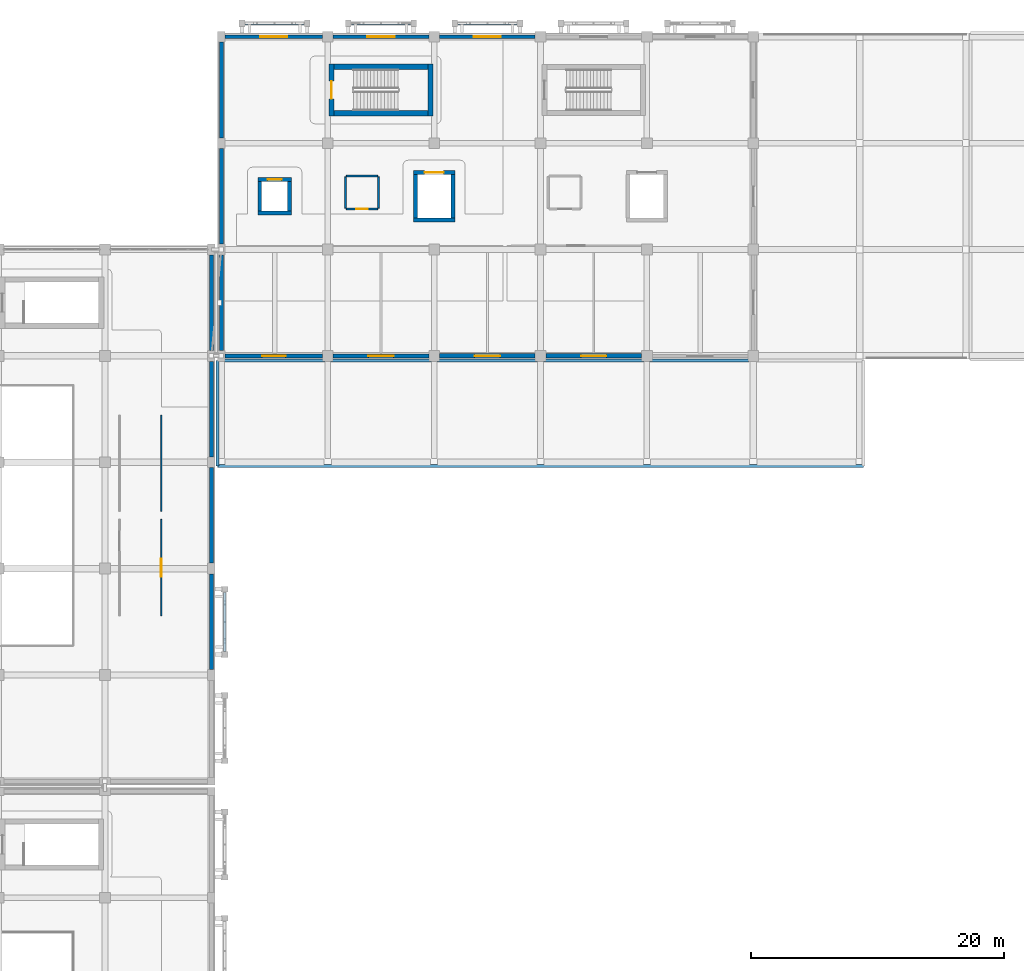
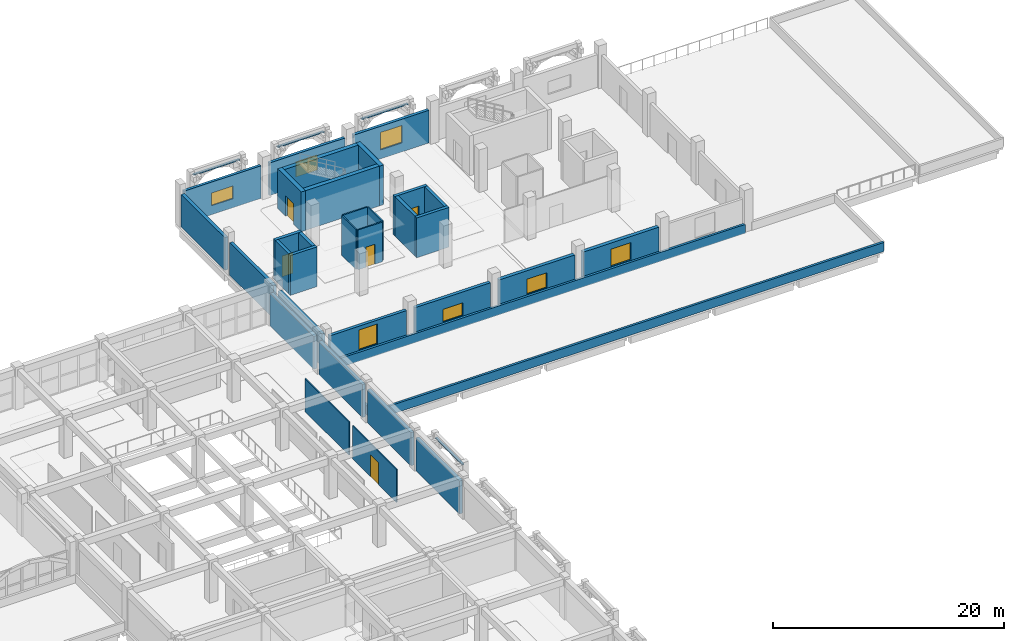
# One storey, part 114 of 129: 39 walls, 7 windows, 5 doors, 12 openings.
"""IFC4 building model written with IfcOpenShell, lengths in metres."""

import ifcopenshell
import ifcopenshell.guid

model = None  # the IFC model being written
_history = None  # IfcOwnerHistory: only IFC2X3 demands one
_inside = {}  # id of a spatial element -> (the spatial element, [elements in it])
_under = {}  # id of a project, library or spatial element -> (it, [spatial elements below it])
_declared = {}  # id of a project -> (the project, [libraries it declares])
_typed = {}  # id of a type object -> (the type object, [elements of that type])
_made_of = {}  # id of a material, layer set ... -> (it, [elements and type objects made of it])


def new_model(schema):
    """Start an empty IFC model of exactly this schema.

    Asked for "IFC4X3", IfcOpenShell would pick the latest addendum, in which some entities
    have other attributes; the version numbers below select the first issue.
    IFC2X3 requires an IfcOwnerHistory on every rooted entity: one is made here for all.
    """
    global model, _history
    if schema == "IFC4X3":
        model = ifcopenshell.file(schema_version=(4, 3, 0, 0))
    else:
        model = ifcopenshell.file(schema=schema)
    _inside.clear()
    _under.clear()
    _declared.clear()
    _typed.clear()
    _made_of.clear()
    _history = None
    if model.schema == "IFC2X3":
        org = make("IfcOrganization", Name="unknown")
        user = make(
            "IfcPersonAndOrganization",
            ThePerson=make("IfcPerson", FamilyName="unknown"),
            TheOrganization=org,
        )
        app = make(
            "IfcApplication",
            ApplicationDeveloper=org,
            Version="unknown",
            ApplicationFullName="unknown",
            ApplicationIdentifier="unknown",
        )
        _history = make(
            "IfcOwnerHistory",
            OwningUser=user,
            OwningApplication=app,
            ChangeAction="ADDED",
            CreationDate=0,
        )
    return model


def make(cls, **values):
    """One entity of the class cls with the attributes given. An attribute that is None is left unset."""
    return model.create_entity(
        cls, **{name: value for name, value in values.items() if value is not None}
    )


def rooted(cls, **values):
    """An entity with a GlobalId (a new one), such as an element, a storey or a relation."""
    return make(cls, GlobalId=ifcopenshell.guid.new(), OwnerHistory=_history, **values)


def si_unit(unit_type, name, prefix=None):
    """IfcSIUnit, for example si_unit("LENGTHUNIT", "METRE", prefix="MILLI")."""
    return make("IfcSIUnit", UnitType=unit_type, Prefix=prefix, Name=name)


def assignment(units):
    """IfcUnitAssignment: the units of a project."""
    return None if units is None else make("IfcUnitAssignment", Units=units)


def point(xyz):
    """IfcCartesianPoint."""
    return None if xyz is None else make("IfcCartesianPoint", Coordinates=xyz)


def direction(xyz):
    """IfcDirection."""
    return None if xyz is None else make("IfcDirection", DirectionRatios=xyz)


def frame(location, z_axis=None, x_axis=None):
    """IfcAxis2Placement3D, a coordinate frame: its origin and axes. An axis left out is left unset."""
    return make(
        "IfcAxis2Placement3D",
        Location=point(location),
        Axis=direction(z_axis),
        RefDirection=direction(x_axis),
    )


def frame_2d(location, x_axis=None):
    """IfcAxis2Placement2D, a coordinate frame in the plane: its origin and x axis."""
    return make(
        "IfcAxis2Placement2D", Location=point(location), RefDirection=direction(x_axis)
    )


def origin():
    """The frame at (0, 0, 0) with its axes left unset."""
    return frame((0.0, 0.0, 0.0))


def place(relative_to, where):
    """IfcLocalPlacement: puts the frame where relative to a parent placement (None: the world)."""
    return make(
        "IfcLocalPlacement", PlacementRelTo=relative_to, RelativePlacement=where
    )


def context(
    kind, dimensions, precision=None, world=None, true_north=None, identifier=None
):
    """IfcGeometricRepresentationContext, for example the 3D "Model" context."""
    return make(
        "IfcGeometricRepresentationContext",
        ContextIdentifier=identifier,
        ContextType=kind,
        CoordinateSpaceDimension=dimensions,
        Precision=precision,
        WorldCoordinateSystem=world,
        TrueNorth=true_north,
    )


def subcontext(parent, identifier, kind, view, scale=None):
    """IfcGeometricRepresentationSubContext, for example "Body" below "Model"."""
    return make(
        "IfcGeometricRepresentationSubContext",
        ContextIdentifier=identifier,
        ContextType=kind,
        ParentContext=parent,
        TargetScale=scale,
        TargetView=view,
    )


def project(units=None, contexts=None):
    """IfcProject with its units and contexts."""
    return rooted(
        "IfcProject",
        Name="project",
        RepresentationContexts=contexts,
        UnitsInContext=assignment(units),
    )


def spatial(cls, under=None, at=None, **own):
    """A site, building, storey or space (cls), placed at a placement, below another one or the project."""
    s = rooted(cls, ObjectPlacement=at, **own)
    if under is not None:
        _under.setdefault(under.id(), (under, []))[1].append(s)
    return s


def profile(cls, at=None, kind="AREA", **sizes):
    """A parametric profile (cls). Its sizes go by their IFC names, for example OverallWidth=200.0."""
    return make(cls, ProfileType=kind, Position=at, **sizes)


def rectangle(**sizes):
    """IfcRectangleProfileDef."""
    return profile("IfcRectangleProfileDef", **sizes)


def extrude(swept, where, along, depth):
    """IfcExtrudedAreaSolid: the profile swept, set in the frame where, extruded along a direction by depth."""
    return make(
        "IfcExtrudedAreaSolid",
        SweptArea=swept,
        Position=where,
        ExtrudedDirection=direction(along),
        Depth=depth,
    )


def shape(context_of_items, identifier, shape_type, items):
    """IfcShapeRepresentation: the items that make up one representation, for example the "Body"."""
    return make(
        "IfcShapeRepresentation",
        ContextOfItems=context_of_items,
        RepresentationIdentifier=identifier,
        RepresentationType=shape_type,
        Items=items,
    )


def material(Name=None, Category=None):
    """IfcMaterial."""
    return make("IfcMaterial", Name=Name, Category=Category)


def layer(
    of_material, thickness, ventilated=None, Name=None, Category=None, Priority=None
):
    """IfcMaterialLayer: one layer of a wall or slab, of a material (None: an air gap)."""
    return make(
        "IfcMaterialLayer",
        Material=of_material,
        LayerThickness=thickness,
        IsVentilated=ventilated,
        Name=Name,
        Category=Category,
        Priority=Priority,
    )


def layer_set(layers, Name=None):
    """IfcMaterialLayerSet."""
    return make("IfcMaterialLayerSet", MaterialLayers=layers, LayerSetName=Name)


def made_of(thing, what):
    """Note that an element or type object is made of a material, layer set ...; save() writes the relation."""
    if what is not None:
        _made_of.setdefault(what.id(), (what, []))[1].append(thing)
    return thing


def type_object(cls, material=None, **own):
    """A type object (cls), such as IfcWallType, which elements share."""
    return made_of(rooted(cls, **own), material)


def element(
    cls,
    number,
    at=None,
    inside=None,
    cuts=None,
    type_object=None,
    material=None,
    context=None,
    identifier="Body",
    shape_type=None,
    held_by="IfcProductDefinitionShape",
    body=None,
    shapes=None,
    **own,
):
    """One element of the class cls, such as IfcWall. Its Tag is "e" and its number.

    at: its placement. inside: the storey or other place that contains it. cuts: it is an
    opening in that element (IfcRelVoidsElement). A single representation is given by context,
    identifier, shape_type and body (its items); several are given by shapes. held_by: the class
    of the entity that holds the representations. save() writes the other relations.
    """
    e = rooted(cls, Tag="e%d" % number, ObjectPlacement=at, **own)
    if body is not None:
        shapes = [shape(context, identifier, shape_type, body)]
    if shapes is not None:
        e.Representation = make(held_by, Representations=shapes)
    if inside is not None:
        _inside.setdefault(inside.id(), (inside, []))[1].append(e)
    if cuts is not None:
        rooted(
            "IfcRelVoidsElement", RelatingBuildingElement=cuts, RelatedOpeningElement=e
        )
    if type_object is not None:
        _typed.setdefault(type_object.id(), (type_object, []))[1].append(e)
    return made_of(e, material)


def fill(opening, filler):
    """IfcRelFillsElement: the door or window that sits in an opening."""
    return rooted(
        "IfcRelFillsElement",
        RelatingOpeningElement=opening,
        RelatedBuildingElement=filler,
    )


def aggregate(whole, parts):
    """IfcRelAggregates: a whole, such as a stair, and the parts it consists of."""
    return rooted("IfcRelAggregates", RelatingObject=whole, RelatedObjects=parts)


def save(model, path):
    """Write the relations noted so far, then the file.

    IfcRelAggregates (storeys below a building ...), IfcRelContainedInSpatialStructure (elements
    in a storey), IfcRelDefinesByType, IfcRelAssociatesMaterial and IfcRelDeclares: one each for
    every whole, place, type object, material and project.
    """
    for whole, parts in _under.values():
        aggregate(whole, parts)
    for where, things in _inside.values():
        rooted(
            "IfcRelContainedInSpatialStructure",
            RelatedElements=things,
            RelatingStructure=where,
        )
    for kind, things in _typed.values():
        rooted("IfcRelDefinesByType", RelatedObjects=things, RelatingType=kind)
    for what, things in _made_of.values():
        rooted("IfcRelAssociatesMaterial", RelatedObjects=things, RelatingMaterial=what)
    for by, libraries in _declared.values():
        rooted("IfcRelDeclares", RelatingContext=by, RelatedDefinitions=libraries)
    model.write(path)


model = new_model("IFC4")

# Units and contexts
model_context = context("Model", 3, precision=1e-05, world=origin(), true_north=direction((0.0, 1.0)))
body_context = subcontext(model_context, "Body", "Model", "MODEL_VIEW")
ifc_project = project(units=[si_unit("LENGTHUNIT", "METRE"), si_unit("AREAUNIT", "SQUARE_METRE"), si_unit("VOLUMEUNIT", "CUBIC_METRE"), si_unit("PLANEANGLEUNIT", "RADIAN"), si_unit("MASSUNIT", "GRAM", prefix="KILO")], contexts=[model_context])

# Site, building, storey
site_placement = place(None, origin())
site = spatial("IfcSite", under=ifc_project, at=site_placement, CompositionType="ELEMENT")
building_placement = place(site_placement, origin())
building = spatial("IfcBuilding", under=site, at=building_placement, Name="Xazarin Passage Department Store", CompositionType="ELEMENT")
storey_placement = place(building_placement, frame((0.0, 0.0, 9.89990234375)))
storey = spatial("IfcBuildingStorey", under=building, at=storey_placement, Name="L02", CompositionType="ELEMENT", Elevation=9.89990234375)

# Wall, opening, window
ifc_material_1 = material(Name="Precast concrete C40/50", Category="concrete")
ifc_layer_1 = layer(ifc_material_1, 0.260009765625)
ifc_layer_set_1 = layer_set([ifc_layer_1], Name="Precast concrete C40/50")
wall_type_1 = type_object("IfcWallType", Name="ARC-W-EXT260", PredefinedType="SOLIDWALL", material=ifc_layer_set_1)
wall_1_placement = place(storey_placement, frame((102.699951171875, 110.0, 0.0), z_axis=(0.0, 0.0, 1.0), x_axis=(1.0, 0.0, 0.0)))
wall_1 = element("IfcWall", 1, at=wall_1_placement, inside=storey, type_object=wall_type_1, Name="L02 V4 Exterior Wall 300", PredefinedType="SOLIDWALL", context=body_context, shape_type="SweptSolid", body=[
    extrude(rectangle(XDim=7.675048828125, YDim=0.260009765625, at=frame_2d((3.83740234375, 0.0))), origin(), (0.0, 0.0, 1.0), 3.4501953125),
])
opening_1_placement = place(wall_1_placement, frame((2.762451171875, 0.0, 0.949951171875)))
opening_1 = element("IfcOpeningElement", 2, at=opening_1_placement, cuts=wall_1, Name="Opening W33", PredefinedType="OPENING", context=body_context, shape_type="SweptSolid", body=[
    extrude(rectangle(XDim=2.14990234375, YDim=1.35009765625, at=frame_2d((1.074951171875, 0.675048828125))), frame((0.0, 0.139892578125, 0.0), z_axis=(0.0, -1.0, 0.0), x_axis=(1.0, 0.0, 0.0)), (0.0, 0.0, 1.0), 0.280029296875),
])
ifc_material_2 = material(Name="Low-E laminated safety glass", Category="glass")
window_type_1 = type_object("IfcWindowType", Name="ARC-WIN-W33", PartitioningType="DOUBLE_PANEL_VERTICAL", PredefinedType="WINDOW", material=ifc_material_2)
window_1_placement = place(opening_1_placement, origin())
window_1 = element("IfcWindow", 3, at=window_1_placement, inside=storey, type_object=window_type_1, Name="L02 V4 Facade Window 0081", OverallHeight=1.35009765625, OverallWidth=2.14990234375, PartitioningType="DOUBLE_PANEL_VERTICAL", PredefinedType="WINDOW", context=body_context, shape_type="SweptSolid", body=[
    extrude(rectangle(XDim=2.14990234375, YDim=1.35009765625, at=frame_2d((1.074951171875, 0.675048828125))), frame((0.0, 0.030029296875, 0.0), z_axis=(0.0, -1.0, 0.0), x_axis=(1.0, 0.0, 0.0)), (0.0, 0.0, 1.0), 0.06005859375),
])
fill(opening_1, window_1)

ifc_layer_2 = layer(ifc_material_1, 0.280029296875)
ifc_layer_set_2 = layer_set([ifc_layer_2], Name="Precast concrete C40/50")
wall_type_2 = type_object("IfcWallType", Name="ARC-W-EXT280", PredefinedType="SOLIDWALL", material=ifc_layer_set_2)
wall_2_placement = place(storey_placement, frame((111.22509765625, 110.0, 0.0), z_axis=(0.0, 0.0, 1.0), x_axis=(1.0, 0.0, 0.0)))
wall_2 = element("IfcWall", 4, at=wall_2_placement, inside=storey, type_object=wall_type_2, Name="L02 V4 Exterior Wall 301", PredefinedType="SOLIDWALL", context=body_context, shape_type="SweptSolid", body=[
    extrude(rectangle(XDim=7.5498046875, YDim=0.280029296875, at=frame_2d((3.77490234375, 0.0))), origin(), (0.0, 0.0, 1.0), 3.4501953125),
])
opening_2_placement = place(wall_2_placement, frame((2.699951171875, 0.0, 0.949951171875)))
opening_2 = element("IfcOpeningElement", 5, at=opening_2_placement, cuts=wall_2, Name="Opening W34", PredefinedType="OPENING", context=body_context, shape_type="SweptSolid", body=[
    extrude(rectangle(XDim=2.14990234375, YDim=1.60009765625, at=frame_2d((1.074951171875, 0.800048828125))), frame((0.0, 0.14990234375, 0.0), z_axis=(0.0, -1.0, 0.0), x_axis=(1.0, 0.0, 0.0)), (0.0, 0.0, 1.0), 0.300048828125),
])
window_type_2 = type_object("IfcWindowType", Name="ARC-WIN-W34", PartitioningType="DOUBLE_PANEL_VERTICAL", PredefinedType="WINDOW", material=ifc_material_2)
window_2_placement = place(opening_2_placement, origin())
window_2 = element("IfcWindow", 6, at=window_2_placement, inside=storey, type_object=window_type_2, Name="L02 V4 Facade Window 0082", OverallHeight=1.60009765625, OverallWidth=2.14990234375, PartitioningType="DOUBLE_PANEL_VERTICAL", PredefinedType="WINDOW", context=body_context, shape_type="SweptSolid", body=[
    extrude(rectangle(XDim=2.14990234375, YDim=1.60009765625, at=frame_2d((1.074951171875, 0.800048828125))), frame((0.0, 0.030029296875, 0.0), z_axis=(0.0, -1.0, 0.0), x_axis=(1.0, 0.0, 0.0)), (0.0, 0.0, 1.0), 0.06005859375),
])
fill(opening_2, window_2)

ifc_layer_3 = layer(ifc_material_1, 0.300048828125)
ifc_layer_set_3 = layer_set([ifc_layer_3], Name="Precast concrete C40/50")
wall_type_3 = type_object("IfcWallType", Name="ARC-W-EXT300", PredefinedType="SOLIDWALL", material=ifc_layer_set_3)
wall_3_placement = place(storey_placement, frame((102.699951171875, 84.800048828125, 0.0), z_axis=(0.0, 0.0, 1.0), x_axis=(1.0, 0.0, 0.0)))
wall_3 = element("IfcWall", 7, at=wall_3_placement, inside=storey, type_object=wall_type_3, Name="L02 V4 Exterior Wall 295", PredefinedType="SOLIDWALL", context=body_context, shape_type="SweptSolid", body=[
    extrude(rectangle(XDim=7.675048828125, YDim=0.300048828125, at=frame_2d((3.83740234375, 0.0))), origin(), (0.0, 0.0, 1.0), 3.4501953125),
])
opening_3_placement = place(wall_3_placement, frame((2.91259765625, 0.0, 0.949951171875)))
opening_3 = element("IfcOpeningElement", 8, at=opening_3_placement, cuts=wall_3, Name="Opening W28", PredefinedType="OPENING", context=body_context, shape_type="SweptSolid", body=[
    extrude(rectangle(XDim=1.85009765625, YDim=2.10009765625, at=frame_2d((0.925048828125, 1.050048828125))), frame((0.0, 0.159912109375, 0.0), z_axis=(0.0, -1.0, 0.0), x_axis=(1.0, 0.0, 0.0)), (0.0, 0.0, 1.0), 0.320068359375),
])
window_type_3 = type_object("IfcWindowType", Name="ARC-WIN-W28", PartitioningType="DOUBLE_PANEL_VERTICAL", PredefinedType="WINDOW", material=ifc_material_2)
window_3_placement = place(opening_3_placement, origin())
window_3 = element("IfcWindow", 9, at=window_3_placement, inside=storey, type_object=window_type_3, Name="L02 V4 Facade Window 0076", OverallHeight=2.10009765625, OverallWidth=1.85009765625, PartitioningType="DOUBLE_PANEL_VERTICAL", PredefinedType="WINDOW", context=body_context, shape_type="SweptSolid", body=[
    extrude(rectangle(XDim=1.85009765625, YDim=2.10009765625, at=frame_2d((0.925048828125, 1.050048828125))), frame((0.0, 0.030029296875, 0.0), z_axis=(0.0, -1.0, 0.0), x_axis=(1.0, 0.0, 0.0)), (0.0, 0.0, 1.0), 0.06005859375),
])
fill(opening_3, window_3)

wall_4_placement = place(storey_placement, frame((119.625, 110.0, 0.0), z_axis=(0.0, 0.0, 1.0), x_axis=(1.0, 0.0, 0.0)))
wall_4 = element("IfcWall", 10, at=wall_4_placement, inside=storey, type_object=wall_type_3, Name="L02 V4 Exterior Wall 302", PredefinedType="SOLIDWALL", context=body_context, shape_type="SweptSolid", body=[
    extrude(rectangle(XDim=7.550048828125, YDim=0.300048828125, at=frame_2d((3.77490234375, 0.0))), origin(), (0.0, 0.0, 1.0), 3.4501953125),
])
opening_4_placement = place(wall_4_placement, frame((2.699951171875, 0.0, 0.949951171875)))
opening_4 = element("IfcOpeningElement", 11, at=opening_4_placement, cuts=wall_4, Name="Opening W35", PredefinedType="OPENING", context=body_context, shape_type="SweptSolid", body=[
    extrude(rectangle(XDim=2.14990234375, YDim=1.85009765625, at=frame_2d((1.074951171875, 0.925048828125))), frame((0.0, 0.159912109375, 0.0), z_axis=(0.0, -1.0, 0.0), x_axis=(1.0, 0.0, 0.0)), (0.0, 0.0, 1.0), 0.320068359375),
])
window_type_4 = type_object("IfcWindowType", Name="ARC-WIN-W35", PartitioningType="DOUBLE_PANEL_VERTICAL", PredefinedType="WINDOW", material=ifc_material_2)
window_4_placement = place(opening_4_placement, origin())
window_4 = element("IfcWindow", 12, at=window_4_placement, inside=storey, type_object=window_type_4, Name="L02 V4 Facade Window 0083", OverallHeight=1.85009765625, OverallWidth=2.14990234375, PartitioningType="DOUBLE_PANEL_VERTICAL", PredefinedType="WINDOW", context=body_context, shape_type="SweptSolid", body=[
    extrude(rectangle(XDim=2.14990234375, YDim=1.85009765625, at=frame_2d((1.074951171875, 0.925048828125))), frame((0.0, 0.030029296875, 0.0), z_axis=(0.0, -1.0, 0.0), x_axis=(1.0, 0.0, 0.0)), (0.0, 0.0, 1.0), 0.06005859375),
])
fill(opening_4, window_4)

# Walls
ifc_material_3 = material(Name="Buff Baku clay brick", Category="masonry")
ifc_layer_4 = layer(ifc_material_3, 0.320068359375)
ifc_layer_set_4 = layer_set([ifc_layer_4], Name="Buff Baku clay brick")
wall_type_4 = type_object("IfcWallType", Name="ARC-W-EXT320", PredefinedType="SOLIDWALL", material=ifc_layer_set_4)
for number, where, z_axis, x_axis, name in (
    (13, (101.60009765625, 60.02490234375, 0.0), (0.0, 0.0, 1.0), (0.0, 1.0, 0.0), "L02 V2N Exterior Wall 178"),
    (14, (101.60009765625, 68.425048828125, 0.0), (0.0, 0.0, 1.0), (0.0, 1.0, 0.0), "L02 V2N Exterior Wall 179"),
    (15, (101.60009765625, 76.824951171875, 0.0), (0.0, 0.0, 1.0), (0.0, 1.0, 0.0), "L02 V2N Exterior Wall 180"),
):
    element("IfcWall", number, at=place(storey_placement, frame(where, z_axis=z_axis, x_axis=x_axis)), inside=storey, type_object=wall_type_4, Name=name, PredefinedType="SOLIDWALL", context=body_context, shape_type="SweptSolid", body=[
        extrude(rectangle(XDim=7.550048828125, YDim=0.320068359375, at=frame_2d((3.77490234375, 0.0))), origin(), (0.0, 0.0, 1.0), 3.489990234375),
    ])
wall_5_placement = place(storey_placement, frame((101.60009765625, 85.22509765625, 0.0), z_axis=(0.0, 0.0, 1.0), x_axis=(0.0, 1.0, 0.0)))
element("IfcWall", 16, at=wall_5_placement, inside=storey, type_object=wall_type_4, Name="L02 V2N Exterior Wall 181", PredefinedType="SOLIDWALL", context=body_context, shape_type="SweptSolid", body=[
    extrude(rectangle(XDim=7.5498046875, YDim=0.320068359375, at=frame_2d((3.77490234375, 0.0))), origin(), (0.0, 0.0, 1.0), 3.489990234375),
])

# Wall, opening, window
wall_6_placement = place(storey_placement, frame((111.22509765625, 84.800048828125, 0.0), z_axis=(0.0, 0.0, 1.0), x_axis=(1.0, 0.0, 0.0)))
wall_6 = element("IfcWall", 17, at=wall_6_placement, inside=storey, type_object=wall_type_4, Name="L02 V4 Exterior Wall 296", PredefinedType="SOLIDWALL", context=body_context, shape_type="SweptSolid", body=[
    extrude(rectangle(XDim=7.5498046875, YDim=0.320068359375, at=frame_2d((3.77490234375, 0.0))), origin(), (0.0, 0.0, 1.0), 3.4501953125),
])
opening_5_placement = place(wall_6_placement, frame((2.77490234375, 0.0, 0.949951171875)))
opening_5 = element("IfcOpeningElement", 18, at=opening_5_placement, cuts=wall_6, Name="Opening W29", PredefinedType="OPENING", context=body_context, shape_type="SweptSolid", body=[
    extrude(rectangle(XDim=2.0, YDim=1.35009765625, at=frame_2d((1.0, 0.675048828125))), frame((0.0, 0.169921875, 0.0), z_axis=(0.0, -1.0, 0.0), x_axis=(1.0, 0.0, 0.0)), (0.0, 0.0, 1.0), 0.340087890625),
])
window_type_5 = type_object("IfcWindowType", Name="ARC-WIN-W29", PartitioningType="DOUBLE_PANEL_VERTICAL", PredefinedType="WINDOW", material=ifc_material_2)
window_5_placement = place(opening_5_placement, origin())
window_5 = element("IfcWindow", 19, at=window_5_placement, inside=storey, type_object=window_type_5, Name="L02 V4 Facade Window 0077", OverallHeight=1.35009765625, OverallWidth=2.0, PartitioningType="DOUBLE_PANEL_VERTICAL", PredefinedType="WINDOW", context=body_context, shape_type="SweptSolid", body=[
    extrude(rectangle(XDim=2.0, YDim=1.35009765625, at=frame_2d((1.0, 0.675048828125))), frame((0.0, 0.030029296875, 0.0), z_axis=(0.0, -1.0, 0.0), x_axis=(1.0, 0.0, 0.0)), (0.0, 0.0, 1.0), 0.06005859375),
])
fill(opening_5, window_5)

# Walls
wall_7_placement = place(storey_placement, frame((102.39990234375, 85.22509765625, 0.0), z_axis=(0.0, 0.0, 1.0), x_axis=(0.0, 1.0, 0.0)))
element("IfcWall", 20, at=wall_7_placement, inside=storey, type_object=wall_type_4, Name="L02 V4 Exterior Wall 305", PredefinedType="SOLIDWALL", context=body_context, shape_type="SweptSolid", body=[
    extrude(rectangle(XDim=7.5498046875, YDim=0.320068359375, at=frame_2d((3.77490234375, 0.0))), origin(), (0.0, 0.0, 1.0), 3.4501953125),
])
for number, where, z_axis, x_axis, name in (
    (21, (102.39990234375, 93.625, 0.0), (0.0, 0.0, 1.0), (0.0, 1.0, 0.0), "L02 V4 Exterior Wall 306"),
    (22, (102.39990234375, 102.02490234375, 0.0), (0.0, 0.0, 1.0), (0.0, 1.0, 0.0), "L02 V4 Exterior Wall 307"),
):
    element("IfcWall", number, at=place(storey_placement, frame(where, z_axis=z_axis, x_axis=x_axis)), inside=storey, type_object=wall_type_4, Name=name, PredefinedType="SOLIDWALL", context=body_context, shape_type="SweptSolid", body=[
        extrude(rectangle(XDim=7.550048828125, YDim=0.320068359375, at=frame_2d((3.77490234375, 0.0))), origin(), (0.0, 0.0, 1.0), 3.4501953125),
    ])

# Wall, opening, window
ifc_material_4 = material(Name="Absheron limestone cladding", Category="masonry")
ifc_layer_5 = layer(ifc_material_4, 0.340087890625)
ifc_layer_set_5 = layer_set([ifc_layer_5], Name="Absheron limestone cladding")
wall_type_5 = type_object("IfcWallType", Name="ARC-W-EXT340", PredefinedType="SOLIDWALL", material=ifc_layer_set_5)
wall_8_placement = place(storey_placement, frame((119.625, 84.800048828125, 0.0), z_axis=(0.0, 0.0, 1.0), x_axis=(1.0, 0.0, 0.0)))
wall_8 = element("IfcWall", 23, at=wall_8_placement, inside=storey, type_object=wall_type_5, Name="L02 V4 Exterior Wall 297", PredefinedType="SOLIDWALL", context=body_context, shape_type="SweptSolid", body=[
    extrude(rectangle(XDim=7.550048828125, YDim=0.340087890625, at=frame_2d((3.77490234375, 0.0))), origin(), (0.0, 0.0, 1.0), 3.4501953125),
])
opening_6_placement = place(wall_8_placement, frame((2.77490234375, 0.0, 0.949951171875)))
opening_6 = element("IfcOpeningElement", 24, at=opening_6_placement, cuts=wall_8, Name="Opening W30", PredefinedType="OPENING", context=body_context, shape_type="SweptSolid", body=[
    extrude(rectangle(XDim=2.0, YDim=1.60009765625, at=frame_2d((1.0, 0.800048828125))), frame((0.0, 0.179931640625, 0.0), z_axis=(0.0, -1.0, 0.0), x_axis=(1.0, 0.0, 0.0)), (0.0, 0.0, 1.0), 0.360107421875),
])
window_type_6 = type_object("IfcWindowType", Name="ARC-WIN-W30", PartitioningType="DOUBLE_PANEL_VERTICAL", PredefinedType="WINDOW", material=ifc_material_2)
window_6_placement = place(opening_6_placement, origin())
window_6 = element("IfcWindow", 25, at=window_6_placement, inside=storey, type_object=window_type_6, Name="L02 V4 Facade Window 0078", OverallHeight=1.60009765625, OverallWidth=2.0, PartitioningType="DOUBLE_PANEL_VERTICAL", PredefinedType="WINDOW", context=body_context, shape_type="SweptSolid", body=[
    extrude(rectangle(XDim=2.0, YDim=1.60009765625, at=frame_2d((1.0, 0.800048828125))), frame((0.0, 0.030029296875, 0.0), z_axis=(0.0, -1.0, 0.0), x_axis=(1.0, 0.0, 0.0)), (0.0, 0.0, 1.0), 0.06005859375),
])
fill(opening_6, window_6)

ifc_layer_6 = layer(ifc_material_4, 0.360107421875)
ifc_layer_set_6 = layer_set([ifc_layer_6], Name="Absheron limestone cladding")
wall_type_6 = type_object("IfcWallType", Name="ARC-W-EXT360", PredefinedType="SOLIDWALL", material=ifc_layer_set_6)
wall_9_placement = place(storey_placement, frame((128.02490234375, 84.800048828125, 0.0), z_axis=(0.0, 0.0, 1.0), x_axis=(1.0, 0.0, 0.0)))
wall_9 = element("IfcWall", 26, at=wall_9_placement, inside=storey, type_object=wall_type_6, Name="L02 V4 Exterior Wall 298", PredefinedType="SOLIDWALL", context=body_context, shape_type="SweptSolid", body=[
    extrude(rectangle(XDim=7.550048828125, YDim=0.360107421875, at=frame_2d((3.77490234375, 0.0))), origin(), (0.0, 0.0, 1.0), 3.4501953125),
])
opening_7_placement = place(wall_9_placement, frame((2.77490234375, 0.0, 0.949951171875)))
opening_7 = element("IfcOpeningElement", 27, at=opening_7_placement, cuts=wall_9, Name="Opening W31", PredefinedType="OPENING", context=body_context, shape_type="SweptSolid", body=[
    extrude(rectangle(XDim=2.0, YDim=1.85009765625, at=frame_2d((1.0, 0.925048828125))), frame((0.0, 0.18994140625, 0.0), z_axis=(0.0, -1.0, 0.0), x_axis=(1.0, 0.0, 0.0)), (0.0, 0.0, 1.0), 0.380126953125),
])
window_type_7 = type_object("IfcWindowType", Name="ARC-WIN-W31", PartitioningType="DOUBLE_PANEL_VERTICAL", PredefinedType="WINDOW", material=ifc_material_2)
window_7_placement = place(opening_7_placement, origin())
window_7 = element("IfcWindow", 28, at=window_7_placement, inside=storey, type_object=window_type_7, Name="L02 V4 Facade Window 0079", OverallHeight=1.85009765625, OverallWidth=2.0, PartitioningType="DOUBLE_PANEL_VERTICAL", PredefinedType="WINDOW", context=body_context, shape_type="SweptSolid", body=[
    extrude(rectangle(XDim=2.0, YDim=1.85009765625, at=frame_2d((1.0, 0.925048828125))), frame((0.0, 0.030029296875, 0.0), z_axis=(0.0, -1.0, 0.0), x_axis=(1.0, 0.0, 0.0)), (0.0, 0.0, 1.0), 0.06005859375),
])
fill(opening_7, window_7)

# Walls
ifc_layer_7 = layer(ifc_material_1, 0.2099609375)
ifc_layer_set_7 = layer_set([ifc_layer_7], Name="Precast concrete C40/50")
wall_type_7 = type_object("IfcWallType", Name="ARC-W-PAR210", PredefinedType="PARAPET", material=ifc_layer_set_7)
for number, where, z_axis, x_axis, name in (
    (29, (102.64990234375, 61.469970703125, 3.880126953125), (0.0, 0.0, 1.0), (0.0, 1.0, 0.0), "L02 V2N Pierced-Arch Spandrel Lintel 0107"),
    (30, (104.27001953125, 111.050048828125, 3.880126953125), (0.0, 0.0, 1.0), (1.0, 0.0, 0.0), "L02 V4 Pierced-Arch Spandrel Lintel 0147"),
):
    element("IfcWall", number, at=place(storey_placement, frame(where, z_axis=z_axis, x_axis=x_axis)), inside=storey, type_object=wall_type_7, Name=name, PredefinedType="PARAPET", context=body_context, shape_type="SweptSolid", body=[
        extrude(rectangle(XDim=4.659912109375, YDim=0.2099609375, at=frame_2d((2.330078125, 0.0))), origin(), (0.0, 0.0, 1.0), 0.119873046875),
    ])
wall_10_placement = place(storey_placement, frame((112.669921875, 111.050048828125, 3.880126953125), z_axis=(0.0, 0.0, 1.0), x_axis=(1.0, 0.0, 0.0)))
element("IfcWall", 31, at=wall_10_placement, inside=storey, type_object=wall_type_7, Name="L02 V4 Pierced-Arch Spandrel Lintel 0151", PredefinedType="PARAPET", context=body_context, shape_type="SweptSolid", body=[
    extrude(rectangle(XDim=4.66015625, YDim=0.2099609375, at=frame_2d((2.330078125, 0.0))), origin(), (0.0, 0.0, 1.0), 0.119873046875),
])
wall_11_placement = place(storey_placement, frame((121.070068359375, 111.050048828125, 3.880126953125), z_axis=(0.0, 0.0, 1.0), x_axis=(1.0, 0.0, 0.0)))
element("IfcWall", 32, at=wall_11_placement, inside=storey, type_object=wall_type_7, Name="L02 V4 Pierced-Arch Spandrel Lintel 0155", PredefinedType="PARAPET", context=body_context, shape_type="SweptSolid", body=[
    extrude(rectangle(XDim=4.659912109375, YDim=0.2099609375, at=frame_2d((2.330078125, 0.0))), origin(), (0.0, 0.0, 1.0), 0.119873046875),
])
ifc_layer_8 = layer(ifc_material_1, 0.22998046875)
ifc_layer_set_8 = layer_set([ifc_layer_8], Name="Precast concrete C40/50")
wall_type_8 = type_object("IfcWallType", Name="ARC-W-PAR230", PredefinedType="PARAPET", material=ifc_layer_set_8)
wall_12_placement = place(storey_placement, frame((102.10009765625, 76.10009765625, 0.0), z_axis=(0.0, 0.0, 1.0), x_axis=(1.0, 0.0, 0.0)))
element("IfcWall", 33, at=wall_12_placement, inside=storey, type_object=wall_type_8, Name="L02 Roof Parapet 039", PredefinedType="PARAPET", context=body_context, shape_type="SweptSolid", body=[
    extrude(rectangle(XDim=51.0, YDim=0.22998046875, at=frame_2d((25.5, 0.0))), origin(), (0.0, 0.0, 1.0), 0.9501953125),
])
wall_13_placement = place(storey_placement, frame((144.050048828125, 84.449951171875, 0.0), z_axis=(0.0, 0.0, 1.0), x_axis=(-1.0, 0.0, 0.0)))
element("IfcWall", 34, at=wall_13_placement, inside=storey, type_object=wall_type_8, Name="L02 Roof Parapet 042", PredefinedType="PARAPET", context=body_context, shape_type="SweptSolid", body=[
    extrude(rectangle(XDim=41.949951171875, YDim=0.22998046875, at=frame_2d((20.97509765625, 0.0))), origin(), (0.0, 0.0, 1.0), 0.9501953125),
])
wall_14_placement = place(storey_placement, frame((102.10009765625, 84.449951171875, 0.0), z_axis=(0.0, 0.0, 1.0), x_axis=(0.0, -1.0, 0.0)))
element("IfcWall", 35, at=wall_14_placement, inside=storey, type_object=wall_type_8, Name="L02 Roof Parapet 043", PredefinedType="PARAPET", context=body_context, shape_type="SweptSolid", body=[
    extrude(rectangle(XDim=8.349853515625, YDim=0.22998046875, at=frame_2d((4.1748046875, 0.0))), origin(), (0.0, 0.0, 1.0), 0.9501953125),
])

# Wall, opening, door
ifc_material_5 = material(Name="Gypsum board acoustic partition")
ifc_layer_9 = layer(ifc_material_5, 0.110107421875)
ifc_layer_set_9 = layer_set([ifc_layer_9], Name="Gypsum board acoustic partition")
wall_type_9 = type_object("IfcWallType", Name="ARC-W-PRT110", PredefinedType="PARTITIONING", material=ifc_layer_set_9)
wall_15_placement = place(storey_placement, frame((97.64990234375, 64.27001953125, 0.0), z_axis=(0.0, 0.0, 1.0), x_axis=(0.0, 1.0, 0.0)))
wall_15 = element("IfcWall", 36, at=wall_15_placement, inside=storey, type_object=wall_type_9, Name="L02 Arcade Boutique Front Wall 0172", PredefinedType="PARTITIONING", context=body_context, shape_type="SweptSolid", body=[
    extrude(rectangle(XDim=7.60986328125, YDim=0.110107421875, at=frame_2d((3.804931640625, 0.0))), origin(), (0.0, 0.0, 1.0), 3.489990234375),
])
opening_8_placement = place(wall_15_placement, frame((3.0849609375, 0.0, 0.0)))
opening_8 = element("IfcOpeningElement", 37, at=opening_8_placement, cuts=wall_15, Name="Opening ID37", PredefinedType="OPENING", context=body_context, shape_type="SweptSolid", body=[
    extrude(rectangle(XDim=1.43994140625, YDim=2.340087890625, at=frame_2d((0.719970703125, 1.169921875))), frame((0.0, 0.06494140625, 0.0), z_axis=(0.0, -1.0, 0.0), x_axis=(1.0, 0.0, 0.0)), (0.0, 0.0, 1.0), 0.130126953125),
])
ifc_material_6 = material(Name="Bronze anodised aluminium", Category="aluminium")
door_type_1 = type_object("IfcDoorType", Name="ARC-DR-ID37", OperationType="NOTDEFINED", PredefinedType="DOOR", material=ifc_material_6)
door_1_placement = place(opening_8_placement, origin())
door_1 = element("IfcDoor", 38, at=door_1_placement, inside=storey, type_object=door_type_1, Name="DR-INT-L02-0172", OperationType="SINGLE_SWING_LEFT", OverallHeight=2.340087890625, OverallWidth=1.43994140625, PredefinedType="DOOR", context=body_context, shape_type="SweptSolid", body=[
    extrude(rectangle(XDim=1.43994140625, YDim=2.340087890625, at=frame_2d((0.719970703125, 1.169921875))), frame((0.0, 0.02490234375, 0.0), z_axis=(0.0, -1.0, 0.0), x_axis=(1.0, 0.0, 0.0)), (0.0, 0.0, 1.0), 0.050048828125),
])
fill(opening_8, door_1)

# Wall
wall_16_placement = place(storey_placement, frame((97.64990234375, 72.52001953125, 0.0), z_axis=(0.0, 0.0, 1.0), x_axis=(0.0, 1.0, 0.0)))
element("IfcWall", 39, at=wall_16_placement, inside=storey, type_object=wall_type_9, Name="L02 Arcade Boutique Front Wall 0173", PredefinedType="PARTITIONING", context=body_context, shape_type="SweptSolid", body=[
    extrude(rectangle(XDim=7.60986328125, YDim=0.110107421875, at=frame_2d((3.804931640625, 0.0))), origin(), (0.0, 0.0, 1.0), 3.489990234375),
])

# Wall, opening, door
ifc_material_7 = material(Name="Moisture-resistant masonry partition", Category="masonry")
ifc_layer_10 = layer(ifc_material_7, 0.139892578125)
ifc_layer_set_10 = layer_set([ifc_layer_10], Name="Moisture-resistant masonry partition")
wall_type_10 = type_object("IfcWallType", Name="ARC-W-PRT140", PredefinedType="PARTITIONING", material=ifc_layer_set_10)
wall_17_placement = place(storey_placement, frame((112.27001953125, 96.39990234375, 0.0), z_axis=(0.0, 0.0, 1.0), x_axis=(1.0, 0.0, 0.0)))
wall_17 = element("IfcWall", 40, at=wall_17_placement, inside=storey, type_object=wall_type_10, Name="L02 Staff WC 0188", PredefinedType="PARTITIONING", context=body_context, shape_type="SweptSolid", body=[
    extrude(rectangle(XDim=2.4599609375, YDim=0.139892578125, at=frame_2d((1.22998046875, 0.0))), origin(), (0.0, 0.0, 1.0), 4.2001953125),
])
opening_9_placement = place(wall_17_placement, frame((0.77001953125, 0.0, 0.0)))
opening_9 = element("IfcOpeningElement", 41, at=opening_9_placement, cuts=wall_17, Name="Opening ID1", PredefinedType="OPENING", context=body_context, shape_type="SweptSolid", body=[
    extrude(rectangle(XDim=0.919921875, YDim=2.1201171875, at=frame_2d((0.4599609375, 1.06005859375))), frame((0.0, 0.079833984375, 0.0), z_axis=(0.0, -1.0, 0.0), x_axis=(1.0, 0.0, 0.0)), (0.0, 0.0, 1.0), 0.159912109375),
])
ifc_material_8 = material(Name="Timber acoustic leaf", Category="wood")
door_type_2 = type_object("IfcDoorType", Name="ARC-DR-WC092", OperationType="NOTDEFINED", PredefinedType="DOOR", material=ifc_material_8)
door_2_placement = place(opening_9_placement, origin())
door_2 = element("IfcDoor", 42, at=door_2_placement, inside=storey, type_object=door_type_2, Name="DR-INT-L02-0188", OperationType="SINGLE_SWING_RIGHT", OverallHeight=2.1201171875, OverallWidth=0.919921875, PredefinedType="DOOR", context=body_context, shape_type="SweptSolid", body=[
    extrude(rectangle(XDim=0.919921875, YDim=2.1201171875, at=frame_2d((0.4599609375, 1.06005859375))), frame((0.0, 0.02490234375, 0.0), z_axis=(0.0, -1.0, 0.0), x_axis=(1.0, 0.0, 0.0)), (0.0, 0.0, 1.0), 0.050048828125),
])
fill(opening_9, door_2)

# Walls
for number, where, z_axis, x_axis, name in (
    (43, (112.27001953125, 99.0, 0.0), (0.0, 0.0, 1.0), (1.0, 0.0, 0.0), "L02 Staff WC Back Wall 0189"),
    (44, (112.199951171875, 96.469970703125, 0.0), (0.0, 0.0, 1.0), (0.0, 1.0, 0.0), "L02 Staff WC Side Wall 0190"),
    (45, (114.800048828125, 96.469970703125, 0.0), (0.0, 0.0, 1.0), (0.0, 1.0, 0.0), "L02 Staff WC Side Wall 0191"),
):
    element("IfcWall", number, at=place(storey_placement, frame(where, z_axis=z_axis, x_axis=x_axis)), inside=storey, type_object=wall_type_10, Name=name, PredefinedType="PARTITIONING", context=body_context, shape_type="SweptSolid", body=[
        extrude(rectangle(XDim=2.4599609375, YDim=0.139892578125, at=frame_2d((1.22998046875, 0.0))), origin(), (0.0, 0.0, 1.0), 4.2001953125),
    ])
ifc_material_9 = material(Name="Concrete C40/50", Category="concrete")
ifc_layer_11 = layer(ifc_material_9, 0.31005859375)
ifc_layer_set_11 = layer_set([ifc_layer_11], Name="Concrete C40/50")
wall_type_11 = type_object("IfcWallType", Name="STR-W-LFT310", PredefinedType="SHEAR", material=ifc_layer_set_11)
wall_18_placement = place(storey_placement, frame((105.27001953125, 96.074951171875, 0.0), z_axis=(0.0, 0.0, 1.0), x_axis=(1.0, 0.0, 0.0)))
element("IfcWall", 46, at=wall_18_placement, inside=storey, type_object=wall_type_11, Name="L02 Lift PL5 Shaft Wall South", PredefinedType="SHEAR", context=body_context, shape_type="SweptSolid", body=[
    extrude(rectangle(XDim=2.659912109375, YDim=0.31005859375, at=frame_2d((1.330078125, 0.0))), origin(), (0.0, 0.0, 1.0), 4.2001953125),
])

# Wall, opening, door
wall_19_placement = place(storey_placement, frame((105.27001953125, 98.72509765625, 0.0), z_axis=(0.0, 0.0, 1.0), x_axis=(1.0, 0.0, 0.0)))
wall_19 = element("IfcWall", 47, at=wall_19_placement, inside=storey, type_object=wall_type_11, Name="L02 Lift PL5 Shaft Wall North", PredefinedType="SHEAR", context=body_context, shape_type="SweptSolid", body=[
    extrude(rectangle(XDim=2.659912109375, YDim=0.31005859375, at=frame_2d((1.330078125, 0.0))), origin(), (0.0, 0.0, 1.0), 4.2001953125),
])
opening_10_placement = place(wall_19_placement, frame((0.780029296875, 0.0, 0.0)))
opening_10 = element("IfcOpeningElement", 48, at=opening_10_placement, cuts=wall_19, Name="Opening LD-PL5-L02", PredefinedType="OPENING", context=body_context, shape_type="SweptSolid", body=[
    extrude(rectangle(XDim=1.10009765625, YDim=2.199951171875, at=frame_2d((0.550048828125, 1.10009765625))), frame((0.0, 0.1650390625, 0.0), z_axis=(0.0, -1.0, 0.0), x_axis=(1.0, 0.0, 0.0)), (0.0, 0.0, 1.0), 0.330078125),
])
ifc_material_10 = material(Name="Steel S355", Category="steel")
door_type_3 = type_object("IfcDoorType", Name="ARC-DR-LD110", OperationType="NOTDEFINED", PredefinedType="DOOR", material=ifc_material_10)
door_3_placement = place(opening_10_placement, origin())
door_3 = element("IfcDoor", 49, at=door_3_placement, inside=storey, type_object=door_type_3, Name="DR-LD-PL5-L02", OperationType="SLIDING_TO_LEFT", OverallHeight=2.199951171875, OverallWidth=1.10009765625, PredefinedType="DOOR", context=body_context, shape_type="SweptSolid", body=[
    extrude(rectangle(XDim=1.10009765625, YDim=2.199951171875, at=frame_2d((0.550048828125, 1.10009765625))), frame((0.0, 0.02490234375, 0.0), z_axis=(0.0, -1.0, 0.0), x_axis=(1.0, 0.0, 0.0)), (0.0, 0.0, 1.0), 0.050048828125),
])
fill(opening_10, door_3)

# Walls
for number, where, z_axis, x_axis, name in (
    (50, (105.425048828125, 96.22998046875, 0.0), (0.0, 0.0, 1.0), (0.0, 1.0, 0.0), "L02 Lift PL5 Shaft Wall West"),
    (51, (107.77490234375, 96.22998046875, 0.0), (0.0, 0.0, 1.0), (0.0, 1.0, 0.0), "L02 Lift PL5 Shaft Wall East"),
):
    element("IfcWall", number, at=place(storey_placement, frame(where, z_axis=z_axis, x_axis=x_axis)), inside=storey, type_object=wall_type_11, Name=name, PredefinedType="SHEAR", context=body_context, shape_type="SweptSolid", body=[
        extrude(rectangle(XDim=2.340087890625, YDim=0.31005859375, at=frame_2d((1.169921875, 0.0))), origin(), (0.0, 0.0, 1.0), 4.2001953125),
    ])
wall_20_placement = place(storey_placement, frame((117.570068359375, 95.52490234375, 0.0), z_axis=(0.0, 0.0, 1.0), x_axis=(1.0, 0.0, 0.0)))
element("IfcWall", 52, at=wall_20_placement, inside=storey, type_object=wall_type_11, Name="L02 Lift GL1 Shaft Wall South", PredefinedType="SHEAR", context=body_context, shape_type="SweptSolid", body=[
    extrude(rectangle(XDim=3.260009765625, YDim=0.31005859375, at=frame_2d((1.6298828125, 0.0))), origin(), (0.0, 0.0, 1.0), 4.2001953125),
])

# Wall, opening, door
wall_21_placement = place(storey_placement, frame((117.570068359375, 99.27490234375, 0.0), z_axis=(0.0, 0.0, 1.0), x_axis=(1.0, 0.0, 0.0)))
wall_21 = element("IfcWall", 53, at=wall_21_placement, inside=storey, type_object=wall_type_11, Name="L02 Lift GL1 Shaft Wall North", PredefinedType="SHEAR", context=body_context, shape_type="SweptSolid", body=[
    extrude(rectangle(XDim=3.260009765625, YDim=0.31005859375, at=frame_2d((1.6298828125, 0.0))), origin(), (0.0, 0.0, 1.0), 4.2001953125),
])
opening_11_placement = place(wall_21_placement, frame((0.8798828125, 0.0, 0.0)))
opening_11 = element("IfcOpeningElement", 54, at=opening_11_placement, cuts=wall_21, Name="Opening LD-GL1-L02", PredefinedType="OPENING", context=body_context, shape_type="SweptSolid", body=[
    extrude(rectangle(XDim=1.5, YDim=2.35009765625, at=frame_2d((0.75, 1.175048828125))), frame((0.0, 0.1650390625, 0.0), z_axis=(0.0, -1.0, 0.0), x_axis=(1.0, 0.0, 0.0)), (0.0, 0.0, 1.0), 0.330078125),
])
door_type_4 = type_object("IfcDoorType", Name="ARC-DR-LD150", OperationType="NOTDEFINED", PredefinedType="DOOR", material=ifc_material_10)
door_4_placement = place(opening_11_placement, origin())
door_4 = element("IfcDoor", 55, at=door_4_placement, inside=storey, type_object=door_type_4, Name="DR-LD-GL1-L02", OperationType="SLIDING_TO_LEFT", OverallHeight=2.35009765625, OverallWidth=1.5, PredefinedType="DOOR", context=body_context, shape_type="SweptSolid", body=[
    extrude(rectangle(XDim=1.5, YDim=2.35009765625, at=frame_2d((0.75, 1.175048828125))), frame((0.0, 0.02490234375, 0.0), z_axis=(0.0, -1.0, 0.0), x_axis=(1.0, 0.0, 0.0)), (0.0, 0.0, 1.0), 0.050048828125),
])
fill(opening_11, door_4)

# Walls
for number, where, z_axis, x_axis, name in (
    (56, (117.72509765625, 95.679931640625, 0.0), (0.0, 0.0, 1.0), (0.0, 1.0, 0.0), "L02 Lift GL1 Shaft Wall West"),
    (57, (120.675048828125, 95.679931640625, 0.0), (0.0, 0.0, 1.0), (0.0, 1.0, 0.0), "L02 Lift GL1 Shaft Wall East"),
):
    element("IfcWall", number, at=place(storey_placement, frame(where, z_axis=z_axis, x_axis=x_axis)), inside=storey, type_object=wall_type_11, Name=name, PredefinedType="SHEAR", context=body_context, shape_type="SweptSolid", body=[
        extrude(rectangle(XDim=3.440185546875, YDim=0.31005859375, at=frame_2d((1.72021484375, 0.0))), origin(), (0.0, 0.0, 1.0), 4.2001953125),
    ])

# Wall, opening, door
ifc_layer_12 = layer(ifc_material_9, 0.419921875)
ifc_layer_set_12 = layer_set([ifc_layer_12], Name="Concrete C40/50")
wall_type_12 = type_object("IfcWallType", Name="STR-W-SHR420", PredefinedType="SHEAR", material=ifc_layer_set_12)
wall_22_placement = place(storey_placement, frame((111.090087890625, 107.840087890625, 0.0), z_axis=(0.0, 0.0, 1.0), x_axis=(0.0, -1.0, 0.0)))
wall_22 = element("IfcWall", 58, at=wall_22_placement, inside=storey, type_object=wall_type_12, Name="L02 Core K10 West Shear Wall", PredefinedType="SHEAR", context=body_context, shape_type="SweptSolid", body=[
    extrude(rectangle(XDim=4.080078125, YDim=0.419921875, at=frame_2d((2.0400390625, 0.0))), origin(), (0.0, 0.0, 1.0), 4.2001953125),
])
opening_12_placement = place(wall_22_placement, frame((1.340087890625, 0.0, 0.0)))
opening_12 = element("IfcOpeningElement", 59, at=opening_12_placement, cuts=wall_22, Name="Opening FD2", PredefinedType="OPENING", context=body_context, shape_type="SweptSolid", body=[
    extrude(rectangle(XDim=1.39990234375, YDim=2.14990234375, at=frame_2d((0.699951171875, 1.074951171875))), frame((0.0, 0.219970703125, 0.0), z_axis=(0.0, -1.0, 0.0), x_axis=(1.0, 0.0, 0.0)), (0.0, 0.0, 1.0), 0.43994140625),
])
door_type_5 = type_object("IfcDoorType", Name="ARC-DR-STR140", OperationType="NOTDEFINED", PredefinedType="DOOR", material=ifc_material_10)
door_5_placement = place(opening_12_placement, origin())
door_5 = element("IfcDoor", 60, at=door_5_placement, inside=storey, type_object=door_type_5, Name="DR-STR-K10-L02", OperationType="SINGLE_SWING_RIGHT", OverallHeight=2.14990234375, OverallWidth=1.39990234375, PredefinedType="DOOR", context=body_context, shape_type="SweptSolid", body=[
    extrude(rectangle(XDim=1.39990234375, YDim=2.14990234375, at=frame_2d((0.699951171875, 1.074951171875))), frame((0.0, 0.02490234375, 0.0), z_axis=(0.0, -1.0, 0.0), x_axis=(1.0, 0.0, 0.0)), (0.0, 0.0, 1.0), 0.050048828125),
])
fill(opening_12, door_5)

# Walls
wall_23_placement = place(storey_placement, frame((118.909912109375, 103.760009765625, 0.0), z_axis=(0.0, 0.0, 1.0), x_axis=(0.0, 1.0, 0.0)))
element("IfcWall", 61, at=wall_23_placement, inside=storey, type_object=wall_type_12, Name="L02 Core K10 East Shear Wall", PredefinedType="SHEAR", context=body_context, shape_type="SweptSolid", body=[
    extrude(rectangle(XDim=4.080078125, YDim=0.419921875, at=frame_2d((2.0400390625, 0.0))), origin(), (0.0, 0.0, 1.0), 4.2001953125),
])
for number, where, z_axis, x_axis, name in (
    (62, (111.300048828125, 103.969970703125, 0.0), (0.0, 0.0, 1.0), (1.0, 0.0, 0.0), "L02 Core K10 South Shear Wall"),
    (63, (111.300048828125, 107.6298828125, 0.0), (0.0, 0.0, 1.0), (1.0, 0.0, 0.0), "L02 Core K10 North Shear Wall"),
):
    element("IfcWall", number, at=place(storey_placement, frame(where, z_axis=z_axis, x_axis=x_axis)), inside=storey, type_object=wall_type_12, Name=name, PredefinedType="SHEAR", context=body_context, shape_type="SweptSolid", body=[
        extrude(rectangle(XDim=7.39990234375, YDim=0.419921875, at=frame_2d((3.699951171875, 0.0))), origin(), (0.0, 0.0, 1.0), 4.2001953125),
    ])

save(model, "model.ifc")
